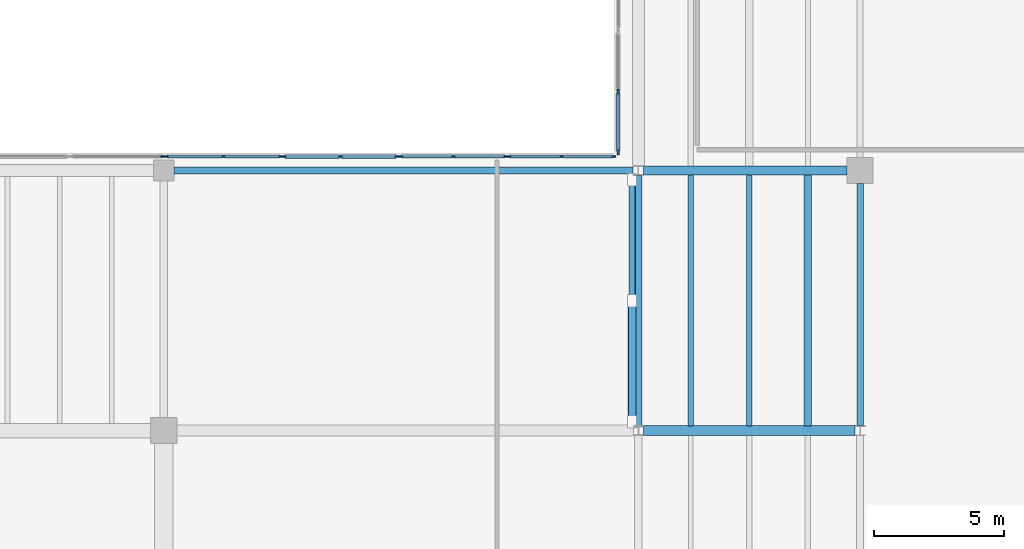
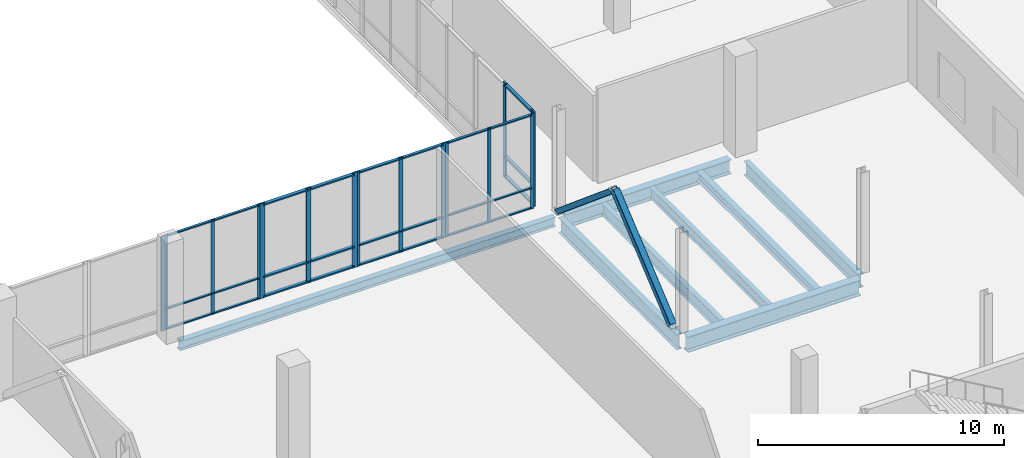
# One storey, part 40 of 73: 44 members, 8 beams, 6 elements without a shape of their own.
"""IFC4 building model written with IfcOpenShell, lengths in metres."""

import ifcopenshell
import ifcopenshell.guid

model = None  # the IFC model being written
_history = None  # IfcOwnerHistory: only IFC2X3 demands one
_inside = {}  # id of a spatial element -> (the spatial element, [elements in it])
_under = {}  # id of a project, library or spatial element -> (it, [spatial elements below it])
_declared = {}  # id of a project -> (the project, [libraries it declares])
_typed = {}  # id of a type object -> (the type object, [elements of that type])
_made_of = {}  # id of a material, layer set ... -> (it, [elements and type objects made of it])


def new_model(schema):
    """Start an empty IFC model of exactly this schema.

    Asked for "IFC4X3", IfcOpenShell would pick the latest addendum, in which some entities
    have other attributes; the version numbers below select the first issue.
    IFC2X3 requires an IfcOwnerHistory on every rooted entity: one is made here for all.
    """
    global model, _history
    if schema == "IFC4X3":
        model = ifcopenshell.file(schema_version=(4, 3, 0, 0))
    else:
        model = ifcopenshell.file(schema=schema)
    _inside.clear()
    _under.clear()
    _declared.clear()
    _typed.clear()
    _made_of.clear()
    _history = None
    if model.schema == "IFC2X3":
        org = make("IfcOrganization", Name="unknown")
        user = make(
            "IfcPersonAndOrganization",
            ThePerson=make("IfcPerson", FamilyName="unknown"),
            TheOrganization=org,
        )
        app = make(
            "IfcApplication",
            ApplicationDeveloper=org,
            Version="unknown",
            ApplicationFullName="unknown",
            ApplicationIdentifier="unknown",
        )
        _history = make(
            "IfcOwnerHistory",
            OwningUser=user,
            OwningApplication=app,
            ChangeAction="ADDED",
            CreationDate=0,
        )
    return model


def make(cls, **values):
    """One entity of the class cls with the attributes given. An attribute that is None is left unset."""
    return model.create_entity(
        cls, **{name: value for name, value in values.items() if value is not None}
    )


def rooted(cls, **values):
    """An entity with a GlobalId (a new one), such as an element, a storey or a relation."""
    return make(cls, GlobalId=ifcopenshell.guid.new(), OwnerHistory=_history, **values)


def si_unit(unit_type, name, prefix=None):
    """IfcSIUnit, for example si_unit("LENGTHUNIT", "METRE", prefix="MILLI")."""
    return make("IfcSIUnit", UnitType=unit_type, Prefix=prefix, Name=name)


def assignment(units):
    """IfcUnitAssignment: the units of a project."""
    return None if units is None else make("IfcUnitAssignment", Units=units)


def point(xyz):
    """IfcCartesianPoint."""
    return None if xyz is None else make("IfcCartesianPoint", Coordinates=xyz)


def direction(xyz):
    """IfcDirection."""
    return None if xyz is None else make("IfcDirection", DirectionRatios=xyz)


def frame(location, z_axis=None, x_axis=None):
    """IfcAxis2Placement3D, a coordinate frame: its origin and axes. An axis left out is left unset."""
    return make(
        "IfcAxis2Placement3D",
        Location=point(location),
        Axis=direction(z_axis),
        RefDirection=direction(x_axis),
    )


def frame_2d(location, x_axis=None):
    """IfcAxis2Placement2D, a coordinate frame in the plane: its origin and x axis."""
    return make(
        "IfcAxis2Placement2D", Location=point(location), RefDirection=direction(x_axis)
    )


def origin():
    """The frame at (0, 0, 0) with its axes left unset."""
    return frame((0.0, 0.0, 0.0))


def origin_2d():
    """The frame at (0, 0) in the plane with its x axis left unset."""
    return frame_2d((0.0, 0.0))


def place(relative_to, where):
    """IfcLocalPlacement: puts the frame where relative to a parent placement (None: the world)."""
    return make(
        "IfcLocalPlacement", PlacementRelTo=relative_to, RelativePlacement=where
    )


def context(
    kind, dimensions, precision=None, world=None, true_north=None, identifier=None
):
    """IfcGeometricRepresentationContext, for example the 3D "Model" context."""
    return make(
        "IfcGeometricRepresentationContext",
        ContextIdentifier=identifier,
        ContextType=kind,
        CoordinateSpaceDimension=dimensions,
        Precision=precision,
        WorldCoordinateSystem=world,
        TrueNorth=true_north,
    )


def subcontext(parent, identifier, kind, view, scale=None):
    """IfcGeometricRepresentationSubContext, for example "Body" below "Model"."""
    return make(
        "IfcGeometricRepresentationSubContext",
        ContextIdentifier=identifier,
        ContextType=kind,
        ParentContext=parent,
        TargetScale=scale,
        TargetView=view,
    )


def project(units=None, contexts=None):
    """IfcProject with its units and contexts."""
    return rooted(
        "IfcProject",
        Name="project",
        RepresentationContexts=contexts,
        UnitsInContext=assignment(units),
    )


def spatial(cls, under=None, at=None, **own):
    """A site, building, storey or space (cls), placed at a placement, below another one or the project."""
    s = rooted(cls, ObjectPlacement=at, **own)
    if under is not None:
        _under.setdefault(under.id(), (under, []))[1].append(s)
    return s


def profile(cls, at=None, kind="AREA", **sizes):
    """A parametric profile (cls). Its sizes go by their IFC names, for example OverallWidth=200.0."""
    return make(cls, ProfileType=kind, Position=at, **sizes)


def rectangle(**sizes):
    """IfcRectangleProfileDef."""
    return profile("IfcRectangleProfileDef", **sizes)


def hollow_rectangle(**sizes):
    """IfcRectangleHollowProfileDef."""
    return profile("IfcRectangleHollowProfileDef", **sizes)


def i_section(**sizes):
    """IfcIShapeProfileDef."""
    return profile("IfcIShapeProfileDef", **sizes)


def extrude(swept, where, along, depth):
    """IfcExtrudedAreaSolid: the profile swept, set in the frame where, extruded along a direction by depth."""
    return make(
        "IfcExtrudedAreaSolid",
        SweptArea=swept,
        Position=where,
        ExtrudedDirection=direction(along),
        Depth=depth,
    )


def shape(context_of_items, identifier, shape_type, items):
    """IfcShapeRepresentation: the items that make up one representation, for example the "Body"."""
    return make(
        "IfcShapeRepresentation",
        ContextOfItems=context_of_items,
        RepresentationIdentifier=identifier,
        RepresentationType=shape_type,
        Items=items,
    )


def material(Name=None, Category=None):
    """IfcMaterial."""
    return make("IfcMaterial", Name=Name, Category=Category)


def material_profile(
    of_material, cross_section, Name=None, Category=None, Priority=None
):
    """IfcMaterialProfile: a cross section and its material."""
    return make(
        "IfcMaterialProfile",
        Name=Name,
        Material=of_material,
        Profile=cross_section,
        Priority=Priority,
        Category=Category,
    )


def profile_set(profiles, Name=None, composite=None):
    """IfcMaterialProfileSet."""
    return make(
        "IfcMaterialProfileSet",
        Name=Name,
        MaterialProfiles=profiles,
        CompositeProfile=composite,
    )


def made_of(thing, what):
    """Note that an element or type object is made of a material, layer set ...; save() writes the relation."""
    if what is not None:
        _made_of.setdefault(what.id(), (what, []))[1].append(thing)
    return thing


def type_object(cls, material=None, **own):
    """A type object (cls), such as IfcWallType, which elements share."""
    return made_of(rooted(cls, **own), material)


def element(
    cls,
    number,
    at=None,
    inside=None,
    cuts=None,
    type_object=None,
    material=None,
    context=None,
    identifier="Body",
    shape_type=None,
    held_by="IfcProductDefinitionShape",
    body=None,
    shapes=None,
    **own,
):
    """One element of the class cls, such as IfcWall. Its Tag is "e" and its number.

    at: its placement. inside: the storey or other place that contains it. cuts: it is an
    opening in that element (IfcRelVoidsElement). A single representation is given by context,
    identifier, shape_type and body (its items); several are given by shapes. held_by: the class
    of the entity that holds the representations. save() writes the other relations.
    """
    e = rooted(cls, Tag="e%d" % number, ObjectPlacement=at, **own)
    if body is not None:
        shapes = [shape(context, identifier, shape_type, body)]
    if shapes is not None:
        e.Representation = make(held_by, Representations=shapes)
    if inside is not None:
        _inside.setdefault(inside.id(), (inside, []))[1].append(e)
    if cuts is not None:
        rooted(
            "IfcRelVoidsElement", RelatingBuildingElement=cuts, RelatedOpeningElement=e
        )
    if type_object is not None:
        _typed.setdefault(type_object.id(), (type_object, []))[1].append(e)
    return made_of(e, material)


def aggregate(whole, parts):
    """IfcRelAggregates: a whole, such as a stair, and the parts it consists of."""
    return rooted("IfcRelAggregates", RelatingObject=whole, RelatedObjects=parts)


def save(model, path):
    """Write the relations noted so far, then the file.

    IfcRelAggregates (storeys below a building ...), IfcRelContainedInSpatialStructure (elements
    in a storey), IfcRelDefinesByType, IfcRelAssociatesMaterial and IfcRelDeclares: one each for
    every whole, place, type object, material and project.
    """
    for whole, parts in _under.values():
        aggregate(whole, parts)
    for where, things in _inside.values():
        rooted(
            "IfcRelContainedInSpatialStructure",
            RelatedElements=things,
            RelatingStructure=where,
        )
    for kind, things in _typed.values():
        rooted("IfcRelDefinesByType", RelatedObjects=things, RelatingType=kind)
    for what, things in _made_of.values():
        rooted("IfcRelAssociatesMaterial", RelatedObjects=things, RelatingMaterial=what)
    for by, libraries in _declared.values():
        rooted("IfcRelDeclares", RelatingContext=by, RelatedDefinitions=libraries)
    model.write(path)


model = new_model("IFC4")

# Units and contexts
model_context = context("Model", 3, precision=1e-05, world=origin(), true_north=direction((0.0, 1.0)))
body_context = subcontext(model_context, "Body", "Model", "MODEL_VIEW")
ifc_project = project(units=[si_unit("LENGTHUNIT", "METRE"), si_unit("AREAUNIT", "SQUARE_METRE"), si_unit("VOLUMEUNIT", "CUBIC_METRE"), si_unit("PLANEANGLEUNIT", "RADIAN"), si_unit("MASSUNIT", "GRAM", prefix="KILO")], contexts=[model_context])

# Site, building, storey
site_placement = place(None, origin())
site = spatial("IfcSite", under=ifc_project, at=site_placement, CompositionType="ELEMENT")
building_placement = place(site_placement, origin())
building = spatial("IfcBuilding", under=site, at=building_placement, Name="Trimount Lyric Opera House", CompositionType="ELEMENT")
storey_placement = place(building_placement, frame((0.0, 0.0, 10.0)))
storey = spatial("IfcBuildingStorey", under=building, at=storey_placement, Name="L02", CompositionType="ELEMENT", Elevation=10.0)

# Beams
ifc_material_1 = material(Name="Steel ASTM A992 Grade 50", Category="steel")
ifc_material_profile_1 = material_profile(ifc_material_1, i_section(OverallWidth=0.382080078125, OverallDepth=0.779052734375, WebThickness=0.01806640625, FlangeThickness=0.0302734375, FilletRadius=0.01904296875, at=origin_2d()), Name="W30X191")
ifc_profile_set_1 = profile_set([ifc_material_profile_1], Name="Steel ASTM A992 Grade 50")
beam_type_1 = type_object("IfcBeamType", Name="B-06", PredefinedType="BEAM", material=ifc_profile_set_1)
beam_1_placement = place(storey_placement, frame((148.426513671875, 64.0, -0.66943359375), z_axis=(1.0, 0.0, 0.0), x_axis=(0.0, 1.0, 0.0)))
element("IfcBeam", 1, at=beam_1_placement, inside=storey, type_object=beam_type_1, Name="L02 girder X-0759", PredefinedType="BEAM", context=body_context, shape_type="SweptSolid", body=[
    extrude(i_section(OverallWidth=0.382080078125, OverallDepth=0.779052734375, WebThickness=0.01806640625, FlangeThickness=0.0302734375, FilletRadius=0.01904296875, at=origin_2d()), origin(), (0.0, 0.0, 1.0), 8.134033203125),
])
ifc_material_2 = material(Name="Steel ASTM A992 Grade 50", Category="steel")
ifc_material_profile_2 = material_profile(ifc_material_2, i_section(OverallWidth=0.26708984375, OverallDepth=0.761962890625, WebThickness=0.014404296875, FlangeThickness=0.021484375, FilletRadius=0.01708984375, at=origin_2d()), Name="W30X116")
ifc_profile_set_2 = profile_set([ifc_material_profile_2], Name="Steel ASTM A992 Grade 50")
beam_type_2 = type_object("IfcBeamType", Name="B-07", PredefinedType="BEAM", material=ifc_profile_set_2)
beam_2_placement = place(storey_placement, frame((148.239990234375, 64.18408203125, -0.660888671875), z_axis=(0.0, 1.0, 0.0), x_axis=(-1.0, 0.0, 0.0)))
element("IfcBeam", 2, at=beam_2_placement, inside=storey, type_object=beam_type_2, Name="L02 girder Y-0911", PredefinedType="BEAM", context=body_context, shape_type="SweptSolid", body=[
    extrude(i_section(OverallWidth=0.26708984375, OverallDepth=0.761962890625, WebThickness=0.014404296875, FlangeThickness=0.021484375, FilletRadius=0.01708984375, at=origin_2d()), origin(), (0.0, 0.0, 1.0), 9.622802734375),
])
ifc_material_3 = material(Name="Steel ASTM A992 Grade 50", Category="steel")
ifc_material_profile_3 = material_profile(ifc_material_3, i_section(OverallWidth=0.35595703125, OverallDepth=0.700927734375, WebThickness=0.016845703125, FlangeThickness=0.02734375, FilletRadius=0.01806640625, at=origin_2d()), Name="W27X161")
ifc_profile_set_3 = profile_set([ifc_material_profile_3], Name="Steel ASTM A992 Grade 50")
beam_type_3 = type_object("IfcBeamType", Name="B-08", PredefinedType="BEAM", material=ifc_profile_set_3)
beam_3_placement = place(storey_placement, frame((148.439453125, 74.0, -0.630615234375), z_axis=(1.0, 0.0, 0.0), x_axis=(0.0, 1.0, 0.0)))
element("IfcBeam", 3, at=beam_3_placement, inside=storey, type_object=beam_type_3, Name="L02 girder X-0771", PredefinedType="BEAM", context=body_context, shape_type="SweptSolid", body=[
    extrude(i_section(OverallWidth=0.35595703125, OverallDepth=0.700927734375, WebThickness=0.016845703125, FlangeThickness=0.02734375, FilletRadius=0.01806640625, at=origin_2d()), origin(), (0.0, 0.0, 1.0), 7.820556640625),
])
ifc_material_4 = material(Name="Steel ASTM A992 Grade 50", Category="steel")
ifc_material_profile_4 = material_profile(ifc_material_4, i_section(OverallWidth=0.25390625, OverallDepth=0.68798828125, WebThickness=0.01318359375, FlangeThickness=0.02099609375, FilletRadius=0.01611328125, at=origin_2d()), Name="W27X102")
ifc_profile_set_4 = profile_set([ifc_material_profile_4], Name="Steel ASTM A992 Grade 50")
beam_type_4 = type_object("IfcBeamType", Name="B-09", PredefinedType="BEAM", material=ifc_profile_set_4)
beam_4_placement = place(storey_placement, frame((156.760009765625, 64.193115234375, -0.6240234375), z_axis=(0.0, 1.0, 0.0), x_axis=(-1.0, 0.0, 0.0)))
element("IfcBeam", 4, at=beam_4_placement, inside=storey, type_object=beam_type_4, Name="L02 girder Y-0918", PredefinedType="BEAM", context=body_context, shape_type="SweptSolid", body=[
    extrude(i_section(OverallWidth=0.25390625, OverallDepth=0.68798828125, WebThickness=0.01318359375, FlangeThickness=0.02099609375, FilletRadius=0.01611328125, at=origin_2d()), origin(), (0.0, 0.0, 1.0), 9.306884765625),
])

# Members
ifc_material_5 = material(Name="Steel ASTM A500 Grade C", Category="steel")
ifc_material_profile_5 = material_profile(ifc_material_5, hollow_rectangle(XDim=0.3046875, YDim=0.3046875, WallThickness=0.01171875, InnerFilletRadius=0.01220703125, OuterFilletRadius=0.02392578125, at=origin_2d()), Name="HSS304.8X304.8X12.7")
ifc_profile_set_5 = profile_set([ifc_material_profile_5], Name="Steel ASTM A500 Grade C")
member_type_1 = type_object("IfcMemberType", Name="BR-02", PredefinedType="BRACE", material=ifc_profile_set_5)
member_1_placement = place(storey_placement, frame((148.0, 64.35009765625, 0.14990234375), z_axis=(0.0, 0.766173014074, 0.642634353661), x_axis=(-1.0, 0.0, 0.0)))
element("IfcMember", 5, at=member_1_placement, inside=storey, type_object=member_type_1, Name="L02 lateral chevron brace BF-4.1", PredefinedType="BRACE", context=body_context, shape_type="SweptSolid", body=[
    extrude(hollow_rectangle(XDim=0.3046875, YDim=0.3046875, WallThickness=0.01171875, InnerFilletRadius=0.01220703125, OuterFilletRadius=0.02392578125, at=origin_2d()), origin(), (0.0, 0.0, 1.0), 6.069091796875),
])
ifc_material_6 = material(Name="Steel ASTM A500 Grade C", Category="steel")
ifc_material_profile_6 = material_profile(ifc_material_6, hollow_rectangle(XDim=0.25390625, YDim=0.25390625, WallThickness=0.01171875, InnerFilletRadius=0.01220703125, OuterFilletRadius=0.02392578125, at=origin_2d()), Name="HSS254.0X254.0X12.7")
ifc_profile_set_6 = profile_set([ifc_material_profile_6], Name="Steel ASTM A500 Grade C")
member_type_2 = type_object("IfcMemberType", Name="BR-03", PredefinedType="BRACE", material=ifc_profile_set_6)
member_2_placement = place(storey_placement, frame((148.0, 73.64990234375, 0.14990234375), z_axis=(0.0, -0.766173014074, 0.642634353661), x_axis=(1.0, 0.0, 0.0)))
element("IfcMember", 6, at=member_2_placement, inside=storey, type_object=member_type_2, Name="L02 lateral chevron brace BF-4.2", PredefinedType="BRACE", context=body_context, shape_type="SweptSolid", body=[
    extrude(hollow_rectangle(XDim=0.25390625, YDim=0.25390625, WallThickness=0.01171875, InnerFilletRadius=0.01220703125, OuterFilletRadius=0.02392578125, at=origin_2d()), origin(), (0.0, 0.0, 1.0), 6.069091796875),
])

# Beams
ifc_material_7 = material(Name="Steel ASTM A992 Grade 50", Category="steel")
ifc_material_profile_7 = material_profile(ifc_material_7, i_section(OverallWidth=0.22802734375, OverallDepth=0.60205078125, WebThickness=0.010498046875, FlangeThickness=0.014892578125, FilletRadius=0.012939453125, at=origin_2d()), Name="W24X68")
ifc_profile_set_7 = profile_set([ifc_material_profile_7], Name="Steel ASTM A992 Grade 50")
beam_type_5 = type_object("IfcBeamType", Name="J-01", PredefinedType="BEAM", material=ifc_profile_set_7)
beam_5_placement = place(storey_placement, frame((150.25, 64.18701171875, -0.5810546875), z_axis=(0.0, 1.0, 0.0), x_axis=(-1.0, 0.0, 0.0)))
element("IfcBeam", 7, at=beam_5_placement, inside=storey, type_object=beam_type_5, Name="L02 composite floor joist 0947", PredefinedType="BEAM", context=body_context, shape_type="SweptSolid", body=[
    extrude(i_section(OverallWidth=0.22802734375, OverallDepth=0.60205078125, WebThickness=0.010498046875, FlangeThickness=0.014892578125, FilletRadius=0.012939453125, at=origin_2d()), origin(), (0.0, 0.0, 1.0), 9.638916015625),
])
ifc_material_8 = material(Name="Steel ASTM A992 Grade 50", Category="steel")
ifc_material_profile_8 = material_profile(ifc_material_8, i_section(OverallWidth=0.2099609375, OverallDepth=0.532958984375, WebThickness=0.01025390625, FlangeThickness=0.015625, FilletRadius=0.012939453125, at=origin_2d()), Name="W21X62")
ifc_profile_set_8 = profile_set([ifc_material_profile_8], Name="Steel ASTM A992 Grade 50")
beam_type_6 = type_object("IfcBeamType", Name="J-02", PredefinedType="BEAM", material=ifc_profile_set_8)
beam_6_placement = place(storey_placement, frame((152.5, 64.18701171875, -0.54638671875), z_axis=(0.0, 1.0, 0.0), x_axis=(-1.0, 0.0, 0.0)))
element("IfcBeam", 8, at=beam_6_placement, inside=storey, type_object=beam_type_6, Name="L02 composite floor joist 0948", PredefinedType="BEAM", context=body_context, shape_type="SweptSolid", body=[
    extrude(i_section(OverallWidth=0.2099609375, OverallDepth=0.532958984375, WebThickness=0.01025390625, FlangeThickness=0.015625, FilletRadius=0.012939453125, at=origin_2d()), origin(), (0.0, 0.0, 1.0), 9.638916015625),
])
ifc_material_9 = material(Name="Steel ASTM A992 Grade 50", Category="steel")
ifc_material_profile_9 = material_profile(ifc_material_9, i_section(OverallWidth=0.281982421875, OverallDepth=0.467041015625, WebThickness=0.01220703125, FlangeThickness=0.01953125, FilletRadius=0.012939453125, at=origin_2d()), Name="W18X86")
ifc_profile_set_9 = profile_set([ifc_material_profile_9], Name="Steel ASTM A992 Grade 50")
beam_type_7 = type_object("IfcBeamType", Name="J-03", PredefinedType="BEAM", material=ifc_profile_set_9)
beam_7_placement = place(storey_placement, frame((154.75, 64.18701171875, -0.513427734375), z_axis=(0.0, 1.0, 0.0), x_axis=(-1.0, 0.0, 0.0)))
element("IfcBeam", 9, at=beam_7_placement, inside=storey, type_object=beam_type_7, Name="L02 composite floor joist 0949", PredefinedType="BEAM", context=body_context, shape_type="SweptSolid", body=[
    extrude(i_section(OverallWidth=0.281982421875, OverallDepth=0.467041015625, WebThickness=0.01220703125, FlangeThickness=0.01953125, FilletRadius=0.012939453125, at=origin_2d()), origin(), (0.0, 0.0, 1.0), 9.638916015625),
])

# Curtain wall, members
ifc_material_10 = material(Name="Thermally Broken Aluminium and Low-E Glass", Category="aluminium")
curtain_wall_type = type_object("IfcCurtainWallType", Name="CW-03", PredefinedType="NOTDEFINED", material=ifc_material_10)
curtain_wall_1_placement = place(storey_placement, origin())
curtain_wall_1 = element("IfcCurtainWall", 10, at=curtain_wall_1_placement, inside=storey, type_object=curtain_wall_type, Name="L02 curtain wall 225", PredefinedType="NOTDEFINED")
ifc_material_11 = material(Name="Anodised Aluminium 6063-T6", Category="aluminium")
ifc_material_profile_10 = material_profile(ifc_material_11, rectangle(XDim=0.070068359375, YDim=0.219970703125, at=origin_2d()), Name="ALU-MULL-70X220")
ifc_profile_set_10 = profile_set([ifc_material_profile_10], Name="Anodised Aluminium 6063-T6")
member_type_3 = type_object("IfcMemberType", Name="ML-01", PredefinedType="MULLION", material=ifc_profile_set_10)
member_3_placement = place(storey_placement, frame((134.625, 74.5400390625, 0.0), z_axis=(0.0, 0.0, 1.0), x_axis=(0.0, 1.0, 0.0)))
member_3 = element("IfcMember", 11, at=member_3_placement, type_object=member_type_3, Name="CW-03 mullion 1", PredefinedType="MULLION", context=body_context, shape_type="SweptSolid", body=[
    extrude(rectangle(XDim=0.070068359375, YDim=0.219970703125, at=origin_2d()), origin(), (0.0, 0.0, 1.0), 4.719970703125),
])
member_4_placement = place(storey_placement, frame((136.794921875, 74.5400390625, 0.0), z_axis=(0.0, 0.0, 1.0), x_axis=(0.0, 1.0, 0.0)))
member_4 = element("IfcMember", 12, at=member_4_placement, type_object=member_type_3, Name="CW-03 mullion 2", PredefinedType="MULLION", context=body_context, shape_type="SweptSolid", body=[
    extrude(rectangle(XDim=0.070068359375, YDim=0.219970703125, at=origin_2d()), origin(), (0.0, 0.0, 1.0), 4.719970703125),
])
member_5_placement = place(storey_placement, frame((138.965087890625, 74.5400390625, 0.0), z_axis=(0.0, 0.0, 1.0), x_axis=(0.0, 1.0, 0.0)))
member_5 = element("IfcMember", 13, at=member_5_placement, type_object=member_type_3, Name="CW-03 mullion 3", PredefinedType="MULLION", context=body_context, shape_type="SweptSolid", body=[
    extrude(rectangle(XDim=0.070068359375, YDim=0.219970703125, at=origin_2d()), origin(), (0.0, 0.0, 1.0), 4.719970703125),
])

curtain_wall_2_placement = place(storey_placement, origin())
curtain_wall_2 = element("IfcCurtainWall", 14, at=curtain_wall_2_placement, inside=storey, type_object=curtain_wall_type, Name="L02 curtain wall 228", PredefinedType="NOTDEFINED")
member_6_placement = place(storey_placement, frame((147.4599609375, 74.715087890625, 0.0), z_axis=(0.0, 0.0, 1.0), x_axis=(-1.0, 0.0, 0.0)))
member_6 = element("IfcMember", 15, at=member_6_placement, type_object=member_type_3, Name="CW-03 mullion 1", PredefinedType="MULLION", context=body_context, shape_type="SweptSolid", body=[
    extrude(rectangle(XDim=0.070068359375, YDim=0.219970703125, at=origin_2d()), origin(), (0.0, 0.0, 1.0), 4.7099609375),
])
member_7_placement = place(storey_placement, frame((147.4599609375, 77.010009765625, 0.0), z_axis=(0.0, 0.0, 1.0), x_axis=(-1.0, 0.0, 0.0)))
member_7 = element("IfcMember", 16, at=member_7_placement, type_object=member_type_3, Name="CW-03 mullion 2", PredefinedType="MULLION", context=body_context, shape_type="SweptSolid", body=[
    extrude(rectangle(XDim=0.070068359375, YDim=0.219970703125, at=origin_2d()), origin(), (0.0, 0.0, 1.0), 4.7099609375),
])

# Curtain wall, member
curtain_wall_3_placement = place(storey_placement, origin())
curtain_wall_3 = element("IfcCurtainWall", 17, at=curtain_wall_3_placement, inside=storey, type_object=curtain_wall_type, Name="L02 curtain wall 223", PredefinedType="NOTDEFINED")
ifc_material_12 = material(Name="Anodised Aluminium 6063-T6", Category="aluminium")
ifc_material_profile_11 = material_profile(ifc_material_12, rectangle(XDim=0.06494140625, YDim=0.179931640625, at=origin_2d()), Name="ALU-MULL-65X180")
ifc_profile_set_11 = profile_set([ifc_material_profile_11], Name="Anodised Aluminium 6063-T6")
member_type_4 = type_object("IfcMemberType", Name="ML-02", PredefinedType="MULLION", material=ifc_profile_set_11)
member_8_placement = place(storey_placement, frame((129.967529296875, 74.5400390625, 0.0), z_axis=(0.0, 0.0, 1.0), x_axis=(0.0, 1.0, 0.0)))
member_8 = element("IfcMember", 18, at=member_8_placement, type_object=member_type_4, Name="CW-03 mullion 2", PredefinedType="MULLION", context=body_context, shape_type="SweptSolid", body=[
    extrude(rectangle(XDim=0.06494140625, YDim=0.179931640625, at=origin_2d()), origin(), (0.0, 0.0, 1.0), 4.719970703125),
])
aggregate(curtain_wall_3, [member_8])

# Curtain wall, members
curtain_wall_4_placement = place(storey_placement, origin())
curtain_wall_4 = element("IfcCurtainWall", 19, at=curtain_wall_4_placement, inside=storey, type_object=curtain_wall_type, Name="L02 curtain wall 226", PredefinedType="NOTDEFINED")
member_9_placement = place(storey_placement, frame((139.12255859375, 74.5400390625, 0.0), z_axis=(0.0, 0.0, 1.0), x_axis=(0.0, 1.0, 0.0)))
member_9 = element("IfcMember", 20, at=member_9_placement, type_object=member_type_4, Name="CW-03 mullion 1", PredefinedType="MULLION", context=body_context, shape_type="SweptSolid", body=[
    extrude(rectangle(XDim=0.06494140625, YDim=0.179931640625, at=origin_2d()), origin(), (0.0, 0.0, 1.0), 4.719970703125),
])
member_10_placement = place(storey_placement, frame((141.125, 74.5400390625, 0.0), z_axis=(0.0, 0.0, 1.0), x_axis=(0.0, 1.0, 0.0)))
member_10 = element("IfcMember", 21, at=member_10_placement, type_object=member_type_4, Name="CW-03 mullion 2", PredefinedType="MULLION", context=body_context, shape_type="SweptSolid", body=[
    extrude(rectangle(XDim=0.06494140625, YDim=0.179931640625, at=origin_2d()), origin(), (0.0, 0.0, 1.0), 4.719970703125),
])
member_11_placement = place(storey_placement, frame((143.12744140625, 74.5400390625, 0.0), z_axis=(0.0, 0.0, 1.0), x_axis=(0.0, 1.0, 0.0)))
member_11 = element("IfcMember", 22, at=member_11_placement, type_object=member_type_4, Name="CW-03 mullion 3", PredefinedType="MULLION", context=body_context, shape_type="SweptSolid", body=[
    extrude(rectangle(XDim=0.06494140625, YDim=0.179931640625, at=origin_2d()), origin(), (0.0, 0.0, 1.0), 4.719970703125),
])

curtain_wall_5_placement = place(storey_placement, origin())
curtain_wall_5 = element("IfcCurtainWall", 23, at=curtain_wall_5_placement, inside=storey, type_object=curtain_wall_type, Name="L02 curtain wall 224", PredefinedType="NOTDEFINED")
ifc_material_13 = material(Name="Anodised Aluminium 6063-T6", Category="aluminium")
ifc_material_profile_12 = material_profile(ifc_material_13, rectangle(XDim=0.06005859375, YDim=0.14990234375, at=origin_2d()), Name="ALU-MULL-60X150")
ifc_profile_set_12 = profile_set([ifc_material_profile_12], Name="Anodised Aluminium 6063-T6")
member_type_5 = type_object("IfcMemberType", Name="ML-03", PredefinedType="MULLION", material=ifc_profile_set_12)
member_12_placement = place(storey_placement, frame((130.1201171875, 74.5400390625, 0.0), z_axis=(0.0, 0.0, 1.0), x_axis=(0.0, 1.0, 0.0)))
member_12 = element("IfcMember", 24, at=member_12_placement, type_object=member_type_5, Name="CW-03 mullion 1", PredefinedType="MULLION", context=body_context, shape_type="SweptSolid", body=[
    extrude(rectangle(XDim=0.06005859375, YDim=0.14990234375, at=origin_2d()), origin(), (0.0, 0.0, 1.0), 4.719970703125),
])
member_13_placement = place(storey_placement, frame((132.294921875, 74.5400390625, 0.0), z_axis=(0.0, 0.0, 1.0), x_axis=(0.0, 1.0, 0.0)))
member_13 = element("IfcMember", 25, at=member_13_placement, type_object=member_type_5, Name="CW-03 mullion 2", PredefinedType="MULLION", context=body_context, shape_type="SweptSolid", body=[
    extrude(rectangle(XDim=0.06005859375, YDim=0.14990234375, at=origin_2d()), origin(), (0.0, 0.0, 1.0), 4.719970703125),
])
member_14_placement = place(storey_placement, frame((134.469970703125, 74.5400390625, 0.0), z_axis=(0.0, 0.0, 1.0), x_axis=(0.0, 1.0, 0.0)))
member_14 = element("IfcMember", 26, at=member_14_placement, type_object=member_type_5, Name="CW-03 mullion 3", PredefinedType="MULLION", context=body_context, shape_type="SweptSolid", body=[
    extrude(rectangle(XDim=0.06005859375, YDim=0.14990234375, at=origin_2d()), origin(), (0.0, 0.0, 1.0), 4.719970703125),
])

curtain_wall_6_placement = place(storey_placement, origin())
curtain_wall_6 = element("IfcCurtainWall", 27, at=curtain_wall_6_placement, inside=storey, type_object=curtain_wall_type, Name="L02 curtain wall 227", PredefinedType="NOTDEFINED")
member_15_placement = place(storey_placement, frame((143.280029296875, 74.5400390625, 0.0), z_axis=(0.0, 0.0, 1.0), x_axis=(0.0, 1.0, 0.0)))
member_15 = element("IfcMember", 28, at=member_15_placement, type_object=member_type_5, Name="CW-03 mullion 1", PredefinedType="MULLION", context=body_context, shape_type="SweptSolid", body=[
    extrude(rectangle(XDim=0.06005859375, YDim=0.14990234375, at=origin_2d()), origin(), (0.0, 0.0, 1.0), 4.719970703125),
])
member_16_placement = place(storey_placement, frame((145.284912109375, 74.5400390625, 0.0), z_axis=(0.0, 0.0, 1.0), x_axis=(0.0, 1.0, 0.0)))
member_16 = element("IfcMember", 29, at=member_16_placement, type_object=member_type_5, Name="CW-03 mullion 2", PredefinedType="MULLION", context=body_context, shape_type="SweptSolid", body=[
    extrude(rectangle(XDim=0.06005859375, YDim=0.14990234375, at=origin_2d()), origin(), (0.0, 0.0, 1.0), 4.719970703125),
])
member_17_placement = place(storey_placement, frame((147.2900390625, 74.5400390625, 0.0), z_axis=(0.0, 0.0, 1.0), x_axis=(0.0, 1.0, 0.0)))
member_17 = element("IfcMember", 30, at=member_17_placement, type_object=member_type_5, Name="CW-03 mullion 3", PredefinedType="MULLION", context=body_context, shape_type="SweptSolid", body=[
    extrude(rectangle(XDim=0.06005859375, YDim=0.14990234375, at=origin_2d()), origin(), (0.0, 0.0, 1.0), 4.719970703125),
])

# Beam
ifc_material_14 = material(Name="Steel ASTM A992 Grade 50", Category="steel")
ifc_material_profile_13 = material_profile(ifc_material_14, i_section(OverallWidth=0.281982421875, OverallDepth=0.467041015625, WebThickness=0.01220703125, FlangeThickness=0.01953125, FilletRadius=0.012939453125, at=origin_2d()), Name="W18X86")
ifc_profile_set_13 = profile_set([ifc_material_profile_13], Name="Steel ASTM A992 Grade 50")
beam_type_8 = type_object("IfcBeamType", Name="SP-01", PredefinedType="SPANDREL", material=ifc_profile_set_13)
beam_8_placement = place(storey_placement, frame((130.39990234375, 74.0, -0.513427734375), z_axis=(1.0, 0.0, 0.0), x_axis=(0.0, 1.0, 0.0)))
element("IfcBeam", 31, at=beam_8_placement, inside=storey, type_object=beam_type_8, Name="L02 girder X-0770", PredefinedType="SPANDREL", context=body_context, shape_type="SweptSolid", body=[
    extrude(i_section(OverallWidth=0.281982421875, OverallDepth=0.467041015625, WebThickness=0.01220703125, FlangeThickness=0.01953125, FilletRadius=0.012939453125, at=origin_2d()), origin(), (0.0, 0.0, 1.0), 17.640625),
])

# Member
ifc_material_15 = material(Name="Anodised Aluminium 6063-T6", Category="aluminium")
ifc_material_profile_14 = material_profile(ifc_material_15, rectangle(XDim=0.159912109375, YDim=0.070068359375, at=origin_2d()), Name="ALU-TRAN-70X160")
ifc_profile_set_14 = profile_set([ifc_material_profile_14], Name="Anodised Aluminium 6063-T6")
member_type_6 = type_object("IfcMemberType", Name="TR-01", PredefinedType="USERDEFINED", material=ifc_profile_set_14)
member_18_placement = place(storey_placement, frame((134.659912109375, 74.5400390625, 0.080078125), z_axis=(1.0, 0.0, 0.0), x_axis=(0.0, 1.0, 0.0)))
member_18 = element("IfcMember", 32, at=member_18_placement, type_object=member_type_6, Name="CW-03 transom 1.1", ObjectType="TRANSOM", PredefinedType="USERDEFINED", context=body_context, shape_type="SweptSolid", body=[
    extrude(rectangle(XDim=0.159912109375, YDim=0.070068359375, at=origin_2d()), origin(), (0.0, 0.0, 1.0), 2.10009765625),
])

member_19_placement = place(storey_placement, frame((134.659912109375, 74.5400390625, 1.050048828125), z_axis=(1.0, 0.0, 0.0), x_axis=(0.0, 1.0, 0.0)))
member_19 = element("IfcMember", 33, at=member_19_placement, type_object=member_type_6, Name="CW-03 transom 1.2", ObjectType="TRANSOM", PredefinedType="USERDEFINED", context=body_context, shape_type="SweptSolid", body=[
    extrude(rectangle(XDim=0.159912109375, YDim=0.070068359375, at=origin_2d()), origin(), (0.0, 0.0, 1.0), 2.10009765625),
])

member_20_placement = place(storey_placement, frame((134.659912109375, 74.5400390625, 4.639892578125), z_axis=(1.0, 0.0, 0.0), x_axis=(0.0, 1.0, 0.0)))
member_20 = element("IfcMember", 34, at=member_20_placement, type_object=member_type_6, Name="CW-03 transom 1.3", ObjectType="TRANSOM", PredefinedType="USERDEFINED", context=body_context, shape_type="SweptSolid", body=[
    extrude(rectangle(XDim=0.159912109375, YDim=0.070068359375, at=origin_2d()), origin(), (0.0, 0.0, 1.0), 2.10009765625),
])

member_21_placement = place(storey_placement, frame((136.830078125, 74.5400390625, 0.080078125), z_axis=(1.0, 0.0, 0.0), x_axis=(0.0, 1.0, 0.0)))
member_21 = element("IfcMember", 35, at=member_21_placement, type_object=member_type_6, Name="CW-03 transom 2.1", ObjectType="TRANSOM", PredefinedType="USERDEFINED", context=body_context, shape_type="SweptSolid", body=[
    extrude(rectangle(XDim=0.159912109375, YDim=0.070068359375, at=origin_2d()), origin(), (0.0, 0.0, 1.0), 2.099853515625),
])

member_22_placement = place(storey_placement, frame((136.830078125, 74.5400390625, 1.050048828125), z_axis=(1.0, 0.0, 0.0), x_axis=(0.0, 1.0, 0.0)))
member_22 = element("IfcMember", 36, at=member_22_placement, type_object=member_type_6, Name="CW-03 transom 2.2", ObjectType="TRANSOM", PredefinedType="USERDEFINED", context=body_context, shape_type="SweptSolid", body=[
    extrude(rectangle(XDim=0.159912109375, YDim=0.070068359375, at=origin_2d()), origin(), (0.0, 0.0, 1.0), 2.099853515625),
])

member_23_placement = place(storey_placement, frame((136.830078125, 74.5400390625, 4.639892578125), z_axis=(1.0, 0.0, 0.0), x_axis=(0.0, 1.0, 0.0)))
member_23 = element("IfcMember", 37, at=member_23_placement, type_object=member_type_6, Name="CW-03 transom 2.3", ObjectType="TRANSOM", PredefinedType="USERDEFINED", context=body_context, shape_type="SweptSolid", body=[
    extrude(rectangle(XDim=0.159912109375, YDim=0.070068359375, at=origin_2d()), origin(), (0.0, 0.0, 1.0), 2.099853515625),
])

aggregate(curtain_wall_1, [member_3, member_4, member_5, member_18, member_19, member_20, member_21, member_22, member_23])

member_24_placement = place(storey_placement, frame((147.4599609375, 74.75, 0.080078125), z_axis=(0.0, 1.0, 0.0), x_axis=(-1.0, 0.0, 0.0)))
member_24 = element("IfcMember", 38, at=member_24_placement, type_object=member_type_6, Name="CW-03 transom 1.1", ObjectType="TRANSOM", PredefinedType="USERDEFINED", context=body_context, shape_type="SweptSolid", body=[
    extrude(rectangle(XDim=0.159912109375, YDim=0.070068359375, at=origin_2d()), origin(), (0.0, 0.0, 1.0), 2.22509765625),
])

member_25_placement = place(storey_placement, frame((147.4599609375, 74.75, 1.050048828125), z_axis=(0.0, 1.0, 0.0), x_axis=(-1.0, 0.0, 0.0)))
member_25 = element("IfcMember", 39, at=member_25_placement, type_object=member_type_6, Name="CW-03 transom 1.2", ObjectType="TRANSOM", PredefinedType="USERDEFINED", context=body_context, shape_type="SweptSolid", body=[
    extrude(rectangle(XDim=0.159912109375, YDim=0.070068359375, at=origin_2d()), origin(), (0.0, 0.0, 1.0), 2.22509765625),
])

member_26_placement = place(storey_placement, frame((147.4599609375, 74.75, 4.6298828125), z_axis=(0.0, 1.0, 0.0), x_axis=(-1.0, 0.0, 0.0)))
member_26 = element("IfcMember", 40, at=member_26_placement, type_object=member_type_6, Name="CW-03 transom 1.3", ObjectType="TRANSOM", PredefinedType="USERDEFINED", context=body_context, shape_type="SweptSolid", body=[
    extrude(rectangle(XDim=0.159912109375, YDim=0.070068359375, at=origin_2d()), origin(), (0.0, 0.0, 1.0), 2.22509765625),
])

aggregate(curtain_wall_2, [member_6, member_7, member_24, member_25, member_26])

ifc_material_16 = material(Name="Anodised Aluminium 6063-T6", Category="aluminium")
ifc_material_profile_15 = material_profile(ifc_material_16, rectangle(XDim=0.135009765625, YDim=0.06494140625, at=origin_2d()), Name="ALU-TRAN-65X135")
ifc_profile_set_15 = profile_set([ifc_material_profile_15], Name="Anodised Aluminium 6063-T6")
member_type_7 = type_object("IfcMemberType", Name="TR-02", PredefinedType="USERDEFINED", material=ifc_profile_set_15)
member_27_placement = place(storey_placement, frame((139.155029296875, 74.5400390625, 0.0673828125), z_axis=(1.0, 0.0, 0.0), x_axis=(0.0, 1.0, 0.0)))
member_27 = element("IfcMember", 41, at=member_27_placement, type_object=member_type_7, Name="CW-03 transom 1.1", ObjectType="TRANSOM", PredefinedType="USERDEFINED", context=body_context, shape_type="SweptSolid", body=[
    extrude(rectangle(XDim=0.135009765625, YDim=0.06494140625, at=origin_2d()), origin(), (0.0, 0.0, 1.0), 1.9375),
])

member_28_placement = place(storey_placement, frame((139.155029296875, 74.5400390625, 1.050048828125), z_axis=(1.0, 0.0, 0.0), x_axis=(0.0, 1.0, 0.0)))
member_28 = element("IfcMember", 42, at=member_28_placement, type_object=member_type_7, Name="CW-03 transom 1.2", ObjectType="TRANSOM", PredefinedType="USERDEFINED", context=body_context, shape_type="SweptSolid", body=[
    extrude(rectangle(XDim=0.135009765625, YDim=0.06494140625, at=origin_2d()), origin(), (0.0, 0.0, 1.0), 1.9375),
])

member_29_placement = place(storey_placement, frame((139.155029296875, 74.5400390625, 4.652587890625), z_axis=(1.0, 0.0, 0.0), x_axis=(0.0, 1.0, 0.0)))
member_29 = element("IfcMember", 43, at=member_29_placement, type_object=member_type_7, Name="CW-03 transom 1.3", ObjectType="TRANSOM", PredefinedType="USERDEFINED", context=body_context, shape_type="SweptSolid", body=[
    extrude(rectangle(XDim=0.135009765625, YDim=0.06494140625, at=origin_2d()), origin(), (0.0, 0.0, 1.0), 1.9375),
])

member_30_placement = place(storey_placement, frame((141.157470703125, 74.5400390625, 0.0673828125), z_axis=(1.0, 0.0, 0.0), x_axis=(0.0, 1.0, 0.0)))
member_30 = element("IfcMember", 44, at=member_30_placement, type_object=member_type_7, Name="CW-03 transom 2.1", ObjectType="TRANSOM", PredefinedType="USERDEFINED", context=body_context, shape_type="SweptSolid", body=[
    extrude(rectangle(XDim=0.135009765625, YDim=0.06494140625, at=origin_2d()), origin(), (0.0, 0.0, 1.0), 1.9375),
])

member_31_placement = place(storey_placement, frame((141.157470703125, 74.5400390625, 1.050048828125), z_axis=(1.0, 0.0, 0.0), x_axis=(0.0, 1.0, 0.0)))
member_31 = element("IfcMember", 45, at=member_31_placement, type_object=member_type_7, Name="CW-03 transom 2.2", ObjectType="TRANSOM", PredefinedType="USERDEFINED", context=body_context, shape_type="SweptSolid", body=[
    extrude(rectangle(XDim=0.135009765625, YDim=0.06494140625, at=origin_2d()), origin(), (0.0, 0.0, 1.0), 1.9375),
])

member_32_placement = place(storey_placement, frame((141.157470703125, 74.5400390625, 4.652587890625), z_axis=(1.0, 0.0, 0.0), x_axis=(0.0, 1.0, 0.0)))
member_32 = element("IfcMember", 46, at=member_32_placement, type_object=member_type_7, Name="CW-03 transom 2.3", ObjectType="TRANSOM", PredefinedType="USERDEFINED", context=body_context, shape_type="SweptSolid", body=[
    extrude(rectangle(XDim=0.135009765625, YDim=0.06494140625, at=origin_2d()), origin(), (0.0, 0.0, 1.0), 1.9375),
])

aggregate(curtain_wall_4, [member_9, member_10, member_11, member_27, member_28, member_29, member_30, member_31, member_32])

ifc_material_17 = material(Name="Anodised Aluminium 6063-T6", Category="aluminium")
ifc_material_profile_16 = material_profile(ifc_material_17, rectangle(XDim=0.114990234375, YDim=0.06005859375, at=origin_2d()), Name="ALU-TRAN-60X115")
ifc_profile_set_16 = profile_set([ifc_material_profile_16], Name="Anodised Aluminium 6063-T6")
member_type_8 = type_object("IfcMemberType", Name="TR-03", PredefinedType="USERDEFINED", material=ifc_profile_set_16)
member_33_placement = place(storey_placement, frame((130.14990234375, 74.5400390625, 0.0576171875), z_axis=(1.0, 0.0, 0.0), x_axis=(0.0, 1.0, 0.0)))
member_33 = element("IfcMember", 47, at=member_33_placement, type_object=member_type_8, Name="CW-03 transom 1.1", ObjectType="TRANSOM", PredefinedType="USERDEFINED", context=body_context, shape_type="SweptSolid", body=[
    extrude(rectangle(XDim=0.114990234375, YDim=0.06005859375, at=origin_2d()), origin(), (0.0, 0.0, 1.0), 2.114990234375),
])

member_34_placement = place(storey_placement, frame((130.14990234375, 74.5400390625, 1.050048828125), z_axis=(1.0, 0.0, 0.0), x_axis=(0.0, 1.0, 0.0)))
member_34 = element("IfcMember", 48, at=member_34_placement, type_object=member_type_8, Name="CW-03 transom 1.2", ObjectType="TRANSOM", PredefinedType="USERDEFINED", context=body_context, shape_type="SweptSolid", body=[
    extrude(rectangle(XDim=0.114990234375, YDim=0.06005859375, at=origin_2d()), origin(), (0.0, 0.0, 1.0), 2.114990234375),
])

member_35_placement = place(storey_placement, frame((130.14990234375, 74.5400390625, 4.66259765625), z_axis=(1.0, 0.0, 0.0), x_axis=(0.0, 1.0, 0.0)))
member_35 = element("IfcMember", 49, at=member_35_placement, type_object=member_type_8, Name="CW-03 transom 1.3", ObjectType="TRANSOM", PredefinedType="USERDEFINED", context=body_context, shape_type="SweptSolid", body=[
    extrude(rectangle(XDim=0.114990234375, YDim=0.06005859375, at=origin_2d()), origin(), (0.0, 0.0, 1.0), 2.114990234375),
])

member_36_placement = place(storey_placement, frame((132.324951171875, 74.5400390625, 0.0576171875), z_axis=(1.0, 0.0, 0.0), x_axis=(0.0, 1.0, 0.0)))
member_36 = element("IfcMember", 50, at=member_36_placement, type_object=member_type_8, Name="CW-03 transom 2.1", ObjectType="TRANSOM", PredefinedType="USERDEFINED", context=body_context, shape_type="SweptSolid", body=[
    extrude(rectangle(XDim=0.114990234375, YDim=0.06005859375, at=origin_2d()), origin(), (0.0, 0.0, 1.0), 2.114990234375),
])

member_37_placement = place(storey_placement, frame((132.324951171875, 74.5400390625, 1.050048828125), z_axis=(1.0, 0.0, 0.0), x_axis=(0.0, 1.0, 0.0)))
member_37 = element("IfcMember", 51, at=member_37_placement, type_object=member_type_8, Name="CW-03 transom 2.2", ObjectType="TRANSOM", PredefinedType="USERDEFINED", context=body_context, shape_type="SweptSolid", body=[
    extrude(rectangle(XDim=0.114990234375, YDim=0.06005859375, at=origin_2d()), origin(), (0.0, 0.0, 1.0), 2.114990234375),
])

member_38_placement = place(storey_placement, frame((132.324951171875, 74.5400390625, 4.66259765625), z_axis=(1.0, 0.0, 0.0), x_axis=(0.0, 1.0, 0.0)))
member_38 = element("IfcMember", 52, at=member_38_placement, type_object=member_type_8, Name="CW-03 transom 2.3", ObjectType="TRANSOM", PredefinedType="USERDEFINED", context=body_context, shape_type="SweptSolid", body=[
    extrude(rectangle(XDim=0.114990234375, YDim=0.06005859375, at=origin_2d()), origin(), (0.0, 0.0, 1.0), 2.114990234375),
])

aggregate(curtain_wall_5, [member_12, member_13, member_14, member_33, member_34, member_35, member_36, member_37, member_38])

member_39_placement = place(storey_placement, frame((143.31005859375, 74.5400390625, 0.0576171875), z_axis=(1.0, 0.0, 0.0), x_axis=(0.0, 1.0, 0.0)))
member_39 = element("IfcMember", 53, at=member_39_placement, type_object=member_type_8, Name="CW-03 transom 1.1", ObjectType="TRANSOM", PredefinedType="USERDEFINED", context=body_context, shape_type="SweptSolid", body=[
    extrude(rectangle(XDim=0.114990234375, YDim=0.06005859375, at=origin_2d()), origin(), (0.0, 0.0, 1.0), 1.94482421875),
])

member_40_placement = place(storey_placement, frame((143.31005859375, 74.5400390625, 1.050048828125), z_axis=(1.0, 0.0, 0.0), x_axis=(0.0, 1.0, 0.0)))
member_40 = element("IfcMember", 54, at=member_40_placement, type_object=member_type_8, Name="CW-03 transom 1.2", ObjectType="TRANSOM", PredefinedType="USERDEFINED", context=body_context, shape_type="SweptSolid", body=[
    extrude(rectangle(XDim=0.114990234375, YDim=0.06005859375, at=origin_2d()), origin(), (0.0, 0.0, 1.0), 1.94482421875),
])

member_41_placement = place(storey_placement, frame((143.31005859375, 74.5400390625, 4.66259765625), z_axis=(1.0, 0.0, 0.0), x_axis=(0.0, 1.0, 0.0)))
member_41 = element("IfcMember", 55, at=member_41_placement, type_object=member_type_8, Name="CW-03 transom 1.3", ObjectType="TRANSOM", PredefinedType="USERDEFINED", context=body_context, shape_type="SweptSolid", body=[
    extrude(rectangle(XDim=0.114990234375, YDim=0.06005859375, at=origin_2d()), origin(), (0.0, 0.0, 1.0), 1.94482421875),
])

member_42_placement = place(storey_placement, frame((145.31494140625, 74.5400390625, 0.0576171875), z_axis=(1.0, 0.0, 0.0), x_axis=(0.0, 1.0, 0.0)))
member_42 = element("IfcMember", 56, at=member_42_placement, type_object=member_type_8, Name="CW-03 transom 2.1", ObjectType="TRANSOM", PredefinedType="USERDEFINED", context=body_context, shape_type="SweptSolid", body=[
    extrude(rectangle(XDim=0.114990234375, YDim=0.06005859375, at=origin_2d()), origin(), (0.0, 0.0, 1.0), 1.945068359375),
])

member_43_placement = place(storey_placement, frame((145.31494140625, 74.5400390625, 1.050048828125), z_axis=(1.0, 0.0, 0.0), x_axis=(0.0, 1.0, 0.0)))
member_43 = element("IfcMember", 57, at=member_43_placement, type_object=member_type_8, Name="CW-03 transom 2.2", ObjectType="TRANSOM", PredefinedType="USERDEFINED", context=body_context, shape_type="SweptSolid", body=[
    extrude(rectangle(XDim=0.114990234375, YDim=0.06005859375, at=origin_2d()), origin(), (0.0, 0.0, 1.0), 1.945068359375),
])

member_44_placement = place(storey_placement, frame((145.31494140625, 74.5400390625, 4.66259765625), z_axis=(1.0, 0.0, 0.0), x_axis=(0.0, 1.0, 0.0)))
member_44 = element("IfcMember", 58, at=member_44_placement, type_object=member_type_8, Name="CW-03 transom 2.3", ObjectType="TRANSOM", PredefinedType="USERDEFINED", context=body_context, shape_type="SweptSolid", body=[
    extrude(rectangle(XDim=0.114990234375, YDim=0.06005859375, at=origin_2d()), origin(), (0.0, 0.0, 1.0), 1.945068359375),
])

aggregate(curtain_wall_6, [member_15, member_16, member_17, member_39, member_40, member_41, member_42, member_43, member_44])

save(model, "model.ifc")
